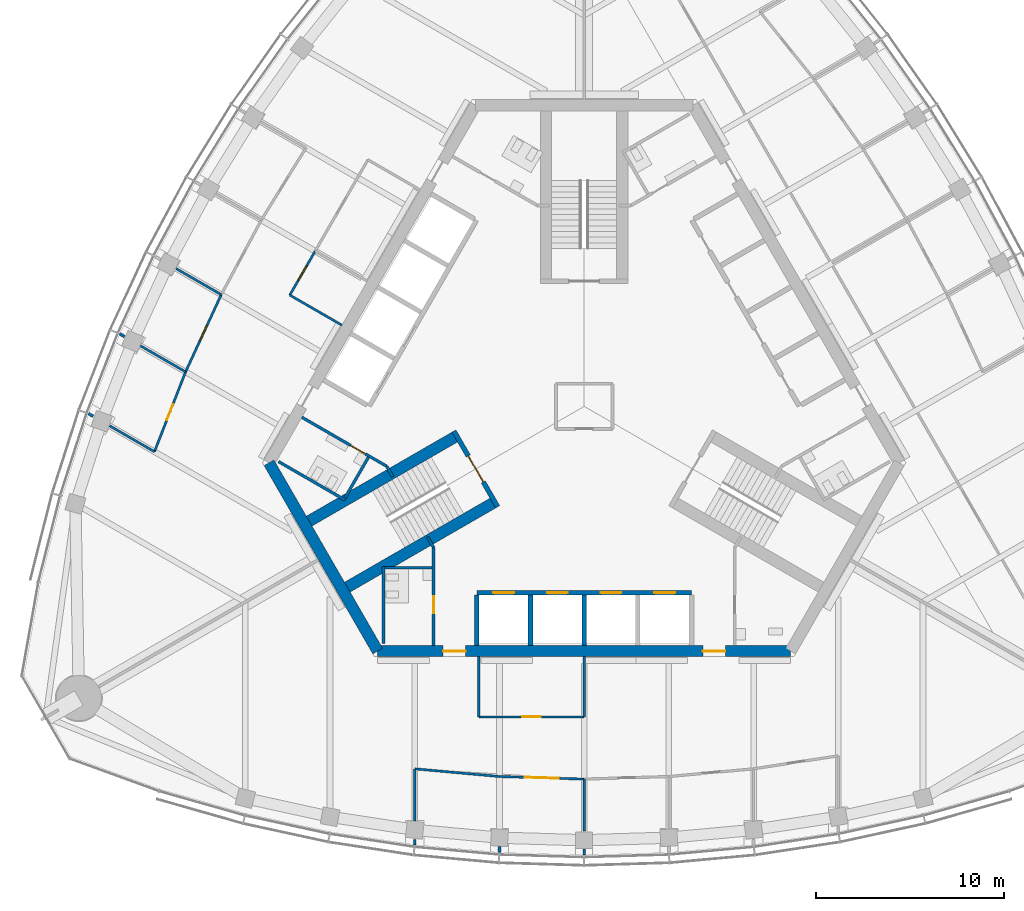
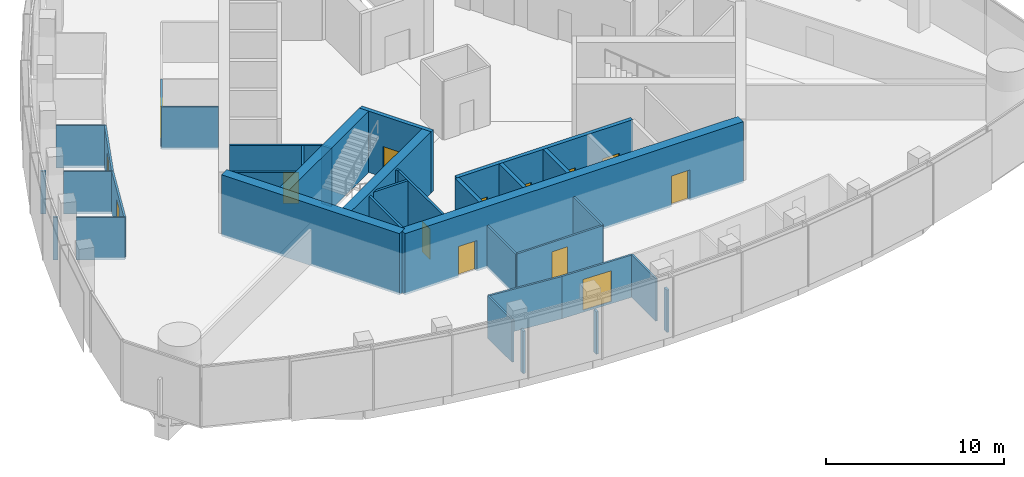
# One storey, part 8 of 16: 36 walls, 14 doors, 14 openings.
"""IFC4 building model written with IfcOpenShell, lengths in metres."""

from ifc_helpers import new_model, si_unit, direction, frame, frame_2d, origin, place, context, subcontext, project, spatial, rectangle, extrude, material, layer, layer_set, type_object, element, fill, save


model = new_model("IFC4")

# Units and contexts
model_context = context("Model", 3, precision=1e-05, world=origin(), true_north=direction((0.0, 1.0)))
body_context = subcontext(model_context, "Body", "Model", "MODEL_VIEW")
ifc_project = project(units=[si_unit("LENGTHUNIT", "METRE"), si_unit("AREAUNIT", "SQUARE_METRE"), si_unit("VOLUMEUNIT", "CUBIC_METRE"), si_unit("PLANEANGLEUNIT", "RADIAN"), si_unit("MASSUNIT", "GRAM", prefix="KILO")], contexts=[model_context])

# Site, building, storey
site_placement = place(None, origin())
site = spatial("IfcSite", under=ifc_project, at=site_placement, CompositionType="ELEMENT")
building_placement = place(site_placement, origin())
building = spatial("IfcBuilding", under=site, at=building_placement, Name="Trefoil Bronze Tower", CompositionType="ELEMENT")
storey_placement = place(building_placement, frame((0.0, 0.0, 301.5)))
storey = spatial("IfcBuildingStorey", under=building, at=storey_placement, Name="L69", CompositionType="ELEMENT", Elevation=301.5)

# Wall, openings, doors
ifc_material_1 = material(Name="Concrete B80", Category="concrete")
ifc_layer_1 = layer(ifc_material_1, 0.60009765625)
ifc_layer_set_1 = layer_set([ifc_layer_1], Name="Core wall 600")
wall_type_1 = type_object("IfcWallType", Name="Core wall 600", PredefinedType="SHEAR", material=ifc_layer_set_1)
wall_1_placement = place(storey_placement, frame((-10.9697265625, -13.0, 0.0), z_axis=(0.0, 0.0, 1.0), x_axis=(1.0, 0.0, 0.0)))
wall_1 = element("IfcWall", 1, at=wall_1_placement, inside=storey, type_object=wall_type_1, Name="Core long wall 1 L69", PredefinedType="SHEAR", context=body_context, shape_type="SweptSolid", body=[
    extrude(rectangle(XDim=21.939453125, YDim=0.60009765625, at=frame_2d((10.9697265625, 0.0))), origin(), (0.0, 0.0, 1.0), 4.199951171875),
])
opening_1_placement = place(wall_1_placement, frame((17.269775390625, 0.0, 0.0)))
opening_1 = element("IfcOpeningElement", 2, at=opening_1_placement, cuts=wall_1, Name="Opening D2", PredefinedType="OPENING", context=body_context, shape_type="SweptSolid", body=[
    extrude(rectangle(XDim=1.199951171875, YDim=2.10009765625, at=frame_2d((0.60009765625, 1.050048828125))), frame((0.0, 0.31005859375, 0.0), z_axis=(0.0, -1.0, 0.0), x_axis=(1.0, 0.0, 0.0)), (0.0, 0.0, 1.0), 0.6201171875),
])
opening_2_placement = place(wall_1_placement, frame((3.4697265625, 0.0, 0.0)))
opening_2 = element("IfcOpeningElement", 3, at=opening_2_placement, cuts=wall_1, Name="Opening D2", PredefinedType="OPENING", context=body_context, shape_type="SweptSolid", body=[
    extrude(rectangle(XDim=1.199951171875, YDim=2.10009765625, at=frame_2d((0.60009765625, 1.050048828125))), frame((0.0, 0.31005859375, 0.0), z_axis=(0.0, -1.0, 0.0), x_axis=(1.0, 0.0, 0.0)), (0.0, 0.0, 1.0), 0.6201171875),
])
ifc_material_2 = material(Name="Steel door", Category="steel")
door_type_1 = type_object("IfcDoorType", Name="Lobby door 1200", OperationType="SINGLE_SWING_RIGHT", PredefinedType="DOOR", material=ifc_material_2)
door_1_placement = place(opening_1_placement, origin())
door_1 = element("IfcDoor", 4, at=door_1_placement, inside=storey, type_object=door_type_1, Name="Lobby door F1+ L69", OperationType="SINGLE_SWING_RIGHT", OverallHeight=2.10009765625, OverallWidth=1.199951171875, PredefinedType="DOOR", context=body_context, shape_type="SweptSolid", body=[
    extrude(rectangle(XDim=1.199951171875, YDim=2.10009765625, at=frame_2d((0.60009765625, 1.050048828125))), frame((0.0, 0.02490234375, 0.0), z_axis=(0.0, -1.0, 0.0), x_axis=(1.0, 0.0, 0.0)), (0.0, 0.0, 1.0), 0.050048828125),
])
fill(opening_1, door_1)
door_2_placement = place(opening_2_placement, origin())
door_2 = element("IfcDoor", 5, at=door_2_placement, inside=storey, type_object=door_type_1, Name="Lobby door F1- L69", OperationType="SINGLE_SWING_LEFT", OverallHeight=2.10009765625, OverallWidth=1.199951171875, PredefinedType="DOOR", context=body_context, shape_type="SweptSolid", body=[
    extrude(rectangle(XDim=1.199951171875, YDim=2.10009765625, at=frame_2d((0.60009765625, 1.050048828125))), frame((0.0, 0.02490234375, 0.0), z_axis=(0.0, -1.0, 0.0), x_axis=(1.0, 0.0, 0.0)), (0.0, 0.0, 1.0), 0.050048828125),
])
fill(opening_2, door_2)

# Wall
wall_2_placement = place(storey_placement, frame((-16.7431640625, -3.0, 0.0), z_axis=(0.0, 0.0, 1.0), x_axis=(0.499995765644, -0.866027848477, 0.0)))
element("IfcWall", 6, at=wall_2_placement, inside=storey, type_object=wall_type_1, Name="Core short wall 3 L69", PredefinedType="SHEAR", context=body_context, shape_type="SweptSolid", body=[
    extrude(rectangle(XDim=11.546875, YDim=0.60009765625, at=frame_2d((5.7734375, 0.0))), origin(), (0.0, 0.0, 1.0), 4.199951171875),
])

# Wall, opening, door
ifc_material_3 = material(Name="Glazed partition", Category="glass")
ifc_layer_2 = layer(ifc_material_3, 0.1201171875)
ifc_layer_set_2 = layer_set([ifc_layer_2], Name="Glazed partition 120")
wall_type_2 = type_object("IfcWallType", Name="Glazed partition 120", PredefinedType="PARTITIONING", material=ifc_layer_set_2)
wall_3_placement = place(storey_placement, frame((-5.60009765625, -16.5, 0.0), z_axis=(0.0, 0.0, 1.0), x_axis=(1.0, 0.0, 0.0)))
wall_3 = element("IfcWall", 7, at=wall_3_placement, inside=storey, type_object=wall_type_2, Name="Partition F1 L69", PredefinedType="PARTITIONING", context=body_context, shape_type="SweptSolid", body=[
    extrude(rectangle(XDim=5.60009765625, YDim=0.1201171875, at=frame_2d((2.800048828125, 0.0))), origin(), (0.0, 0.0, 1.0), 2.89990234375),
])
opening_3_placement = place(wall_3_placement, frame((2.300048828125, 0.0, 0.14990234375)))
opening_3 = element("IfcOpeningElement", 8, at=opening_3_placement, cuts=wall_3, Name="Opening D9", PredefinedType="OPENING", context=body_context, shape_type="SweptSolid", body=[
    extrude(rectangle(XDim=1.0, YDim=2.10009765625, at=frame_2d((0.5, 1.050048828125))), frame((0.0, 0.070068359375, 0.0), z_axis=(0.0, -1.0, 0.0), x_axis=(1.0, 0.0, 0.0)), (0.0, 0.0, 1.0), 0.14013671875),
])
ifc_material_4 = material(Name="Glazed timber door", Category="wood")
door_type_2 = type_object("IfcDoorType", Name="Meeting room door 1000", OperationType="SINGLE_SWING_LEFT", PredefinedType="DOOR", material=ifc_material_4)
door_3_placement = place(opening_3_placement, origin())
door_3 = element("IfcDoor", 9, at=door_3_placement, inside=storey, type_object=door_type_2, Name="Meeting room door F1 L69", OperationType="SINGLE_SWING_LEFT", OverallHeight=2.10009765625, OverallWidth=1.0, PredefinedType="DOOR", context=body_context, shape_type="SweptSolid", body=[
    extrude(rectangle(XDim=1.0, YDim=2.10009765625, at=frame_2d((0.5, 1.050048828125))), frame((0.0, 0.02490234375, 0.0), z_axis=(0.0, -1.0, 0.0), x_axis=(1.0, 0.0, 0.0)), (0.0, 0.0, 1.0), 0.050048828125),
])
fill(opening_3, door_3)

# Walls
for number, where, z_axis, x_axis, name in (
    (10, (0.0, -13.300048828125, 0.0), (0.0, 0.0, 1.0), (0.0, -1.0, 0.0), "Partition F1 L69"),
    (11, (-5.60009765625, -13.300048828125, 0.0), (0.0, 0.0, 1.0), (0.0, -1.0, 0.0), "Partition F1 L69"),
):
    element("IfcWall", number, at=place(storey_placement, frame(where, z_axis=z_axis, x_axis=x_axis)), inside=storey, type_object=wall_type_2, Name=name, PredefinedType="PARTITIONING", context=body_context, shape_type="SweptSolid", body=[
        extrude(rectangle(XDim=3.199951171875, YDim=0.1201171875, at=frame_2d((1.60009765625, 0.0))), origin(), (0.0, 0.0, 1.0), 2.89990234375),
    ])

# Wall, opening, door
wall_4_placement = place(storey_placement, frame((-4.5, -19.665283203125, 0.0), z_axis=(0.0, 0.0, 1.0), x_axis=(0.999542074227, -0.030259574513, 0.0)))
wall_4 = element("IfcWall", 12, at=wall_4_placement, inside=storey, type_object=wall_type_2, Name="Partition F1 L69", PredefinedType="PARTITIONING", context=body_context, shape_type="SweptSolid", body=[
    extrude(rectangle(XDim=4.501953125, YDim=0.1201171875, at=frame_2d((2.2509765625, 0.0))), origin(), (0.0, 0.0, 1.0), 2.89990234375),
])
opening_4_placement = place(wall_4_placement, frame((1.35009765625, 0.0, 0.14990234375)))
opening_4 = element("IfcOpeningElement", 13, at=opening_4_placement, cuts=wall_4, Name="Opening D10", PredefinedType="OPENING", context=body_context, shape_type="SweptSolid", body=[
    extrude(rectangle(XDim=1.800048828125, YDim=2.10009765625, at=frame_2d((0.89990234375, 1.050048828125))), frame((0.0, 0.070068359375, 0.0), z_axis=(0.0, -1.0, 0.0), x_axis=(1.0, 0.0, 0.0)), (0.0, 0.0, 1.0), 0.14013671875),
])
ifc_material_5 = material(Name="Timber door", Category="wood")
door_type_3 = type_object("IfcDoorType", Name="Double door 1800", OperationType="DOUBLE_DOOR_SINGLE_SWING", PredefinedType="DOOR", material=ifc_material_5)
door_4_placement = place(opening_4_placement, frame((1.800048828125, 0.0, 0.0), z_axis=(0.0, 0.0, 1.0), x_axis=(-1.0, 0.0, 0.0)))
door_4 = element("IfcDoor", 14, at=door_4_placement, inside=storey, type_object=door_type_3, Name="Kitchen and breakout door F1 L69", OperationType="DOUBLE_DOOR_SINGLE_SWING", OverallHeight=2.10009765625, OverallWidth=1.800048828125, PredefinedType="DOOR", context=body_context, shape_type="SweptSolid", body=[
    extrude(rectangle(XDim=1.800048828125, YDim=2.10009765625, at=frame_2d((0.89990234375, 1.050048828125))), frame((0.0, 0.02490234375, 0.0), z_axis=(0.0, -1.0, 0.0), x_axis=(1.0, 0.0, 0.0)), (0.0, 0.0, 1.0), 0.050048828125),
])
fill(opening_4, door_4)

# Walls
wall_5_placement = place(storey_placement, frame((-9.0, -19.255126953125, 0.0), z_axis=(0.0, 0.0, 1.0), x_axis=(0.995871921504, -0.090769576179, 0.0)))
element("IfcWall", 15, at=wall_5_placement, inside=storey, type_object=wall_type_2, Name="Partition F1 L69", PredefinedType="PARTITIONING", context=body_context, shape_type="SweptSolid", body=[
    extrude(rectangle(XDim=4.5185546875, YDim=0.1201171875, at=frame_2d((2.25927734375, 0.0))), origin(), (0.0, 0.0, 1.0), 2.89990234375),
])
wall_6_placement = place(storey_placement, frame((0.0, -19.801513671875, 0.0), z_axis=(0.0, 0.0, 1.0), x_axis=(0.0, -1.0, 0.0)))
element("IfcWall", 16, at=wall_6_placement, inside=storey, type_object=wall_type_2, Name="Partition F1 L69", PredefinedType="PARTITIONING", context=body_context, shape_type="SweptSolid", body=[
    extrude(rectangle(XDim=2.77001953125, YDim=0.1201171875, at=frame_2d((1.385009765625, 0.0))), origin(), (0.0, 0.0, 1.0), 2.89990234375),
])
wall_7_placement = place(storey_placement, frame((-9.0, -19.255126953125, 0.0), z_axis=(0.0, 0.0, 1.0), x_axis=(0.0, -1.0, 0.0)))
element("IfcWall", 17, at=wall_7_placement, inside=storey, type_object=wall_type_2, Name="Partition F1 L69", PredefinedType="PARTITIONING", context=body_context, shape_type="SweptSolid", body=[
    extrude(rectangle(XDim=2.760498046875, YDim=0.1201171875, at=frame_2d((1.38037109375, 0.0))), origin(), (0.0, 0.0, 1.0), 2.89990234375),
])

# Wall, opening, door
wall_8_placement = place(storey_placement, frame((-14.289306640625, 8.25, 0.0), z_axis=(0.0, 0.0, 1.0), x_axis=(-0.50000943426, -0.866019956843, 0.0)))
wall_8 = element("IfcWall", 18, at=wall_8_placement, inside=storey, type_object=wall_type_2, Name="Partition F3 L69", PredefinedType="PARTITIONING", context=body_context, shape_type="SweptSolid", body=[
    extrude(rectangle(XDim=2.7001953125, YDim=0.1201171875, at=frame_2d((1.35009765625, 0.0))), origin(), (0.0, 0.0, 1.0), 2.89990234375),
])
opening_5_placement = place(wall_8_placement, frame((0.89990234375, 0.0, 0.14990234375)))
opening_5 = element("IfcOpeningElement", 19, at=opening_5_placement, cuts=wall_8, Name="Opening D8", PredefinedType="OPENING", context=body_context, shape_type="SweptSolid", body=[
    extrude(rectangle(XDim=0.89990234375, YDim=2.10009765625, at=frame_2d((0.449951171875, 1.050048828125))), frame((0.0, 0.070068359375, 0.0), z_axis=(0.0, -1.0, 0.0), x_axis=(1.0, 0.0, 0.0)), (0.0, 0.0, 1.0), 0.14013671875),
])
ifc_material_6 = material(Name="Timber door", Category="wood")
door_type_4 = type_object("IfcDoorType", Name="Office door 900", OperationType="SINGLE_SWING_LEFT", PredefinedType="DOOR", material=ifc_material_6)
door_5_placement = place(opening_5_placement, origin())
door_5 = element("IfcDoor", 20, at=door_5_placement, inside=storey, type_object=door_type_4, Name="Pantry door F3 L69", OperationType="SINGLE_SWING_RIGHT", OverallHeight=2.10009765625, OverallWidth=0.89990234375, PredefinedType="DOOR", context=body_context, shape_type="SweptSolid", body=[
    extrude(rectangle(XDim=0.89990234375, YDim=2.10009765625, at=frame_2d((0.449951171875, 1.050048828125))), frame((0.0, 0.02490234375, 0.0), z_axis=(0.0, -1.0, 0.0), x_axis=(1.0, 0.0, 0.0)), (0.0, 0.0, 1.0), 0.050048828125),
])
fill(opening_5, door_5)

# Wall
wall_9_placement = place(storey_placement, frame((-12.8681640625, 4.311767578125, 0.0), z_axis=(0.0, 0.0, 1.0), x_axis=(-0.866042017984, 0.499971222258, 0.0)))
element("IfcWall", 21, at=wall_9_placement, inside=storey, type_object=wall_type_2, Name="Partition F3 L69", PredefinedType="PARTITIONING", context=body_context, shape_type="SweptSolid", body=[
    extrude(rectangle(XDim=3.199951171875, YDim=0.1201171875, at=frame_2d((1.60009765625, 0.0))), origin(), (0.0, 0.0, 1.0), 2.89990234375),
])

# Wall, opening, door
wall_10_placement = place(storey_placement, frame((-19.28076171875, 5.935546875, 0.0), z_axis=(0.0, 0.0, 1.0), x_axis=(-0.419270595022, -0.907861315483, 0.0)))
wall_10 = element("IfcWall", 22, at=wall_10_placement, inside=storey, type_object=wall_type_2, Name="Partition F3 L69", PredefinedType="PARTITIONING", context=body_context, shape_type="SweptSolid", body=[
    extrude(rectangle(XDim=4.5185546875, YDim=0.1201171875, at=frame_2d((2.25927734375, 0.0))), origin(), (0.0, 0.0, 1.0), 2.89990234375),
])
opening_6_placement = place(wall_10_placement, frame((1.800048828125, 0.0, 0.14990234375)))
opening_6 = element("IfcOpeningElement", 23, at=opening_6_placement, cuts=wall_10, Name="Opening D8", PredefinedType="OPENING", context=body_context, shape_type="SweptSolid", body=[
    extrude(rectangle(XDim=0.89990234375, YDim=2.10009765625, at=frame_2d((0.449951171875, 1.050048828125))), frame((0.0, 0.070068359375, 0.0), z_axis=(0.0, -1.0, 0.0), x_axis=(1.0, 0.0, 0.0)), (0.0, 0.0, 1.0), 0.14013671875),
])
door_6_placement = place(opening_6_placement, frame((0.89990234375, 0.0, 0.0), z_axis=(0.0, 0.0, 1.0), x_axis=(-1.0, 0.0, 0.0)))
door_6 = element("IfcDoor", 24, at=door_6_placement, inside=storey, type_object=door_type_4, Name="Office door F3 L69", OperationType="SINGLE_SWING_RIGHT", OverallHeight=2.10009765625, OverallWidth=0.89990234375, PredefinedType="DOOR", context=body_context, shape_type="SweptSolid", body=[
    extrude(rectangle(XDim=0.89990234375, YDim=2.10009765625, at=frame_2d((0.449951171875, 1.050048828125))), frame((0.0, 0.02490234375, 0.0), z_axis=(0.0, -1.0, 0.0), x_axis=(1.0, 0.0, 0.0)), (0.0, 0.0, 1.0), 0.050048828125),
])
fill(opening_6, door_6)

wall_11_placement = place(storey_placement, frame((-21.17529296875, 1.833251953125, 0.0), z_axis=(0.0, 0.0, 1.0), x_axis=(-0.363230297573, -0.931699388711, 0.0)))
wall_11 = element("IfcWall", 25, at=wall_11_placement, inside=storey, type_object=wall_type_2, Name="Partition F3 L69", PredefinedType="PARTITIONING", context=body_context, shape_type="SweptSolid", body=[
    extrude(rectangle(XDim=4.552490234375, YDim=0.1201171875, at=frame_2d((2.2763671875, 0.0))), origin(), (0.0, 0.0, 1.0), 2.89990234375),
])
opening_7_placement = place(wall_11_placement, frame((1.85009765625, 0.0, 0.14990234375)))
opening_7 = element("IfcOpeningElement", 26, at=opening_7_placement, cuts=wall_11, Name="Opening D8", PredefinedType="OPENING", context=body_context, shape_type="SweptSolid", body=[
    extrude(rectangle(XDim=0.89990234375, YDim=2.10009765625, at=frame_2d((0.449951171875, 1.050048828125))), frame((0.0, 0.070068359375, 0.0), z_axis=(0.0, -1.0, 0.0), x_axis=(1.0, 0.0, 0.0)), (0.0, 0.0, 1.0), 0.14013671875),
])
door_7_placement = place(opening_7_placement, frame((0.89990234375, 0.0, 0.0), z_axis=(0.0, 0.0, 1.0), x_axis=(-1.0, 0.0, 0.0)))
door_7 = element("IfcDoor", 27, at=door_7_placement, inside=storey, type_object=door_type_4, Name="Office door F3 L69", OperationType="SINGLE_SWING_LEFT", OverallHeight=2.10009765625, OverallWidth=0.89990234375, PredefinedType="DOOR", context=body_context, shape_type="SweptSolid", body=[
    extrude(rectangle(XDim=0.89990234375, YDim=2.10009765625, at=frame_2d((0.449951171875, 1.050048828125))), frame((0.0, 0.02490234375, 0.0), z_axis=(0.0, -1.0, 0.0), x_axis=(1.0, 0.0, 0.0)), (0.0, 0.0, 1.0), 0.050048828125),
])
fill(opening_7, door_7)

# Walls
wall_12_placement = place(storey_placement, frame((-22.828857421875, -2.408203125, 0.0), z_axis=(0.0, 0.0, 1.0), x_axis=(-0.866031754707, 0.499988999718, 0.0)))
element("IfcWall", 28, at=wall_12_placement, inside=storey, type_object=wall_type_2, Name="Partition F3 L69", PredefinedType="PARTITIONING", context=body_context, shape_type="SweptSolid", body=[
    extrude(rectangle(XDim=2.74853515625, YDim=0.1201171875, at=frame_2d((1.374267578125, 0.0))), origin(), (0.0, 0.0, 1.0), 2.89990234375),
])
wall_13_placement = place(storey_placement, frame((-19.28076171875, 5.935546875, 0.0), z_axis=(0.0, 0.0, 1.0), x_axis=(-0.866019581949, 0.500010083578, 0.0)))
element("IfcWall", 29, at=wall_13_placement, inside=storey, type_object=wall_type_2, Name="Partition F3 L69", PredefinedType="PARTITIONING", context=body_context, shape_type="SweptSolid", body=[
    extrude(rectangle(XDim=2.767578125, YDim=0.1201171875, at=frame_2d((1.3837890625, 0.0))), origin(), (0.0, 0.0, 1.0), 2.89990234375),
])
wall_14_placement = place(storey_placement, frame((-21.17529296875, 1.833251953125, 0.0), z_axis=(0.0, 0.0, 1.0), x_axis=(-0.86602506628, 0.500000584575, 0.0)))
element("IfcWall", 30, at=wall_14_placement, inside=storey, type_object=wall_type_2, Name="Partition F3 L69", PredefinedType="PARTITIONING", context=body_context, shape_type="SweptSolid", body=[
    extrude(rectangle(XDim=2.7607421875, YDim=0.1201171875, at=frame_2d((1.38037109375, 0.0))), origin(), (0.0, 0.0, 1.0), 2.89990234375),
])

# Wall, opening, door
ifc_material_7 = material(Name="Gypsum board on steel studs", Category="steel")
ifc_layer_3 = layer(ifc_material_7, 0.14990234375)
ifc_layer_set_3 = layer_set([ifc_layer_3], Name="Partition 150")
wall_type_3 = type_object("IfcWallType", Name="Partition 150", PredefinedType="PARTITIONING", material=ifc_layer_set_3)
wall_15_placement = place(storey_placement, frame((-8.0, -7.5, 0.0), z_axis=(0.0, 0.0, 1.0), x_axis=(0.0, -1.0, 0.0)))
wall_15 = element("IfcWall", 31, at=wall_15_placement, inside=storey, type_object=wall_type_3, Name="Passage wall F1- L69", PredefinedType="PARTITIONING", context=body_context, shape_type="SweptSolid", body=[
    extrude(rectangle(XDim=5.199951171875, YDim=0.14990234375, at=frame_2d((2.60009765625, 0.0))), origin(), (0.0, 0.0, 1.0), 4.0),
])
opening_8_placement = place(wall_15_placement, frame((2.60009765625, 0.0, 0.0)))
opening_8 = element("IfcOpeningElement", 32, at=opening_8_placement, cuts=wall_15, Name="Opening D3", PredefinedType="OPENING", context=body_context, shape_type="SweptSolid", body=[
    extrude(rectangle(XDim=0.89990234375, YDim=2.10009765625, at=frame_2d((0.449951171875, 1.050048828125))), frame((0.0, 0.0849609375, 0.0), z_axis=(0.0, -1.0, 0.0), x_axis=(1.0, 0.0, 0.0)), (0.0, 0.0, 1.0), 0.169921875),
])
ifc_material_8 = material(Name="Timber door", Category="wood")
door_type_5 = type_object("IfcDoorType", Name="WC door 900", OperationType="SINGLE_SWING_LEFT", PredefinedType="DOOR", material=ifc_material_8)
door_8_placement = place(opening_8_placement, frame((0.89990234375, 0.0, 0.0), z_axis=(0.0, 0.0, 1.0), x_axis=(-1.0, 0.0, 0.0)))
door_8 = element("IfcDoor", 33, at=door_8_placement, inside=storey, type_object=door_type_5, Name="WC (women) door L69", OperationType="SINGLE_SWING_RIGHT", OverallHeight=2.10009765625, OverallWidth=0.89990234375, PredefinedType="DOOR", context=body_context, shape_type="SweptSolid", body=[
    extrude(rectangle(XDim=0.89990234375, YDim=2.10009765625, at=frame_2d((0.449951171875, 1.050048828125))), frame((0.0, 0.02490234375, 0.0), z_axis=(0.0, -1.0, 0.0), x_axis=(1.0, 0.0, 0.0)), (0.0, 0.0, 1.0), 0.050048828125),
])
fill(opening_8, door_8)

wall_16_placement = place(storey_placement, frame((-10.4951171875, -3.17822265625, 0.0), z_axis=(0.0, 0.0, 1.0), x_axis=(-0.866021400173, 0.500006934395, 0.0)))
wall_16 = element("IfcWall", 34, at=wall_16_placement, inside=storey, type_object=wall_type_3, Name="Passage wall F3+ L69", PredefinedType="PARTITIONING", context=body_context, shape_type="SweptSolid", body=[
    extrude(rectangle(XDim=5.2001953125, YDim=0.14990234375, at=frame_2d((2.60009765625, 0.0))), origin(), (0.0, 0.0, 1.0), 4.0),
])
opening_9_placement = place(wall_16_placement, frame((1.300048828125, 0.0, 0.0)))
opening_9 = element("IfcOpeningElement", 35, at=opening_9_placement, cuts=wall_16, Name="Opening D3", PredefinedType="OPENING", context=body_context, shape_type="SweptSolid", body=[
    extrude(rectangle(XDim=0.89990234375, YDim=2.10009765625, at=frame_2d((0.449951171875, 1.050048828125))), frame((0.0, 0.0849609375, 0.0), z_axis=(0.0, -1.0, 0.0), x_axis=(1.0, 0.0, 0.0)), (0.0, 0.0, 1.0), 0.169921875),
])
door_9_placement = place(opening_9_placement, origin())
door_9 = element("IfcDoor", 36, at=door_9_placement, inside=storey, type_object=door_type_5, Name="WC (men) door L69", OperationType="SINGLE_SWING_LEFT", OverallHeight=2.10009765625, OverallWidth=0.89990234375, PredefinedType="DOOR", context=body_context, shape_type="SweptSolid", body=[
    extrude(rectangle(XDim=0.89990234375, YDim=2.10009765625, at=frame_2d((0.449951171875, 1.050048828125))), frame((0.0, 0.02490234375, 0.0), z_axis=(0.0, -1.0, 0.0), x_axis=(1.0, 0.0, 0.0)), (0.0, 0.0, 1.0), 0.050048828125),
])
fill(opening_9, door_9)

# Walls
for number, where, z_axis, x_axis, name in (
    (37, (-10.4951171875, -3.17822265625, 0.0), (0.0, 0.0, 1.0), (0.499842556608, -0.866116284689, 0.0), "WC wall ST3-1 L69"),
    (38, (-8.0, -7.5, 0.0), (0.0, 0.0, 1.0), (-0.499842556608, 0.866116284689, 0.0), "WC wall ST3+1 L69"),
):
    element("IfcWall", number, at=place(storey_placement, frame(where, z_axis=z_axis, x_axis=x_axis)), inside=storey, type_object=wall_type_3, Name=name, PredefinedType="PARTITIONING", context=body_context, shape_type="SweptSolid", body=[
        extrude(rectangle(XDim=0.645263671875, YDim=0.14990234375, at=frame_2d((0.32275390625, 0.0))), origin(), (0.0, 0.0, 1.0), 4.0),
    ])
wall_17_placement = place(storey_placement, frame((-12.691162109375, -4.98193359375, 0.0), z_axis=(0.0, 0.0, 1.0), x_axis=(-0.8660249478, 0.500000789788, 0.0)))
element("IfcWall", 39, at=wall_17_placement, inside=storey, type_object=wall_type_3, Name="WC partition WC (men) L69", PredefinedType="PARTITIONING", context=body_context, shape_type="SweptSolid", body=[
    extrude(rectangle(XDim=4.10009765625, YDim=0.14990234375, at=frame_2d((2.050048828125, 0.0))), origin(), (0.0, 0.0, 1.0), 4.0),
])
wall_18_placement = place(storey_placement, frame((-11.463623046875, -2.70556640625, 0.0), z_axis=(0.0, 0.0, 1.0), x_axis=(-0.50001992892, -0.866013897511, 0.0)))
element("IfcWall", 40, at=wall_18_placement, inside=storey, type_object=wall_type_3, Name="WC partition WC (men) L69", PredefinedType="PARTITIONING", context=body_context, shape_type="SweptSolid", body=[
    extrude(rectangle(XDim=2.51025390625, YDim=0.14990234375, at=frame_2d((1.255126953125, 0.0))), origin(), (0.0, 0.0, 1.0), 4.0),
])
wall_19_placement = place(storey_placement, frame((-10.659912109375, -8.5, 0.0), z_axis=(0.0, 0.0, 1.0), x_axis=(0.0, -1.0, 0.0)))
element("IfcWall", 41, at=wall_19_placement, inside=storey, type_object=wall_type_3, Name="WC partition WC (women) L69", PredefinedType="PARTITIONING", context=body_context, shape_type="SweptSolid", body=[
    extrude(rectangle(XDim=4.10009765625, YDim=0.14990234375, at=frame_2d((2.050048828125, 0.0))), origin(), (0.0, 0.0, 1.0), 4.0),
])
wall_20_placement = place(storey_placement, frame((-8.074951171875, -8.574951171875, 0.0), z_axis=(0.0, 0.0, 1.0), x_axis=(-1.0, 0.0, 0.0)))
element("IfcWall", 42, at=wall_20_placement, inside=storey, type_object=wall_type_3, Name="WC partition WC (women) L69", PredefinedType="PARTITIONING", context=body_context, shape_type="SweptSolid", body=[
    extrude(rectangle(XDim=2.510009765625, YDim=0.14990234375, at=frame_2d((1.2548828125, 0.0))), origin(), (0.0, 0.0, 1.0), 4.0),
])
wall_21_placement = place(storey_placement, frame((0.0, -23.505615234375, 0.0), z_axis=(0.0, 0.0, 1.0), x_axis=(0.0, -1.0, 0.0)))
element("IfcWall", 43, at=wall_21_placement, inside=storey, type_object=wall_type_3, Name="Partition F1 L69", PredefinedType="PARTITIONING", context=body_context, shape_type="SweptSolid", body=[
    extrude(rectangle(XDim=0.341064453125, YDim=0.14990234375, at=frame_2d((0.17041015625, 0.0))), origin(), (0.0, 0.0, 1.0), 2.89990234375),
])
wall_22_placement = place(storey_placement, frame((-4.5, -23.394287109375, 0.0), z_axis=(0.0, 0.0, 1.0), x_axis=(0.0, -1.0, 0.0)))
element("IfcWall", 44, at=wall_22_placement, inside=storey, type_object=wall_type_3, Name="Partition F1 L69", PredefinedType="PARTITIONING", context=body_context, shape_type="SweptSolid", body=[
    extrude(rectangle(XDim=0.316162109375, YDim=0.14990234375, at=frame_2d((0.158203125, 0.0))), origin(), (0.0, 0.0, 1.0), 2.89990234375),
])
wall_23_placement = place(storey_placement, frame((-9.0, -23.00439453125, 0.0), z_axis=(0.0, 0.0, 1.0), x_axis=(0.0, -1.0, 0.0)))
element("IfcWall", 45, at=wall_23_placement, inside=storey, type_object=wall_type_3, Name="Partition F1 L69", PredefinedType="PARTITIONING", context=body_context, shape_type="SweptSolid", body=[
    extrude(rectangle(XDim=0.295654296875, YDim=0.14990234375, at=frame_2d((0.14794921875, 0.0))), origin(), (0.0, 0.0, 1.0), 2.89990234375),
])
wall_24_placement = place(storey_placement, frame((-26.08935546875, -0.52587890625, 0.0), z_axis=(0.0, 0.0, 1.0), x_axis=(-0.865982457891, 0.500074377092, 0.0)))
element("IfcWall", 46, at=wall_24_placement, inside=storey, type_object=wall_type_3, Name="Partition F3 L69", PredefinedType="PARTITIONING", context=body_context, shape_type="SweptSolid", body=[
    extrude(rectangle(XDim=0.2802734375, YDim=0.14990234375, at=frame_2d((0.14013671875, 0.0))), origin(), (0.0, 0.0, 1.0), 2.89990234375),
])
wall_25_placement = place(storey_placement, frame((-24.42236328125, 3.7080078125, 0.0), z_axis=(0.0, 0.0, 1.0), x_axis=(-0.866254317358, 0.499603300288, 0.0)))
element("IfcWall", 47, at=wall_25_placement, inside=storey, type_object=wall_type_3, Name="Partition F3 L69", PredefinedType="PARTITIONING", context=body_context, shape_type="SweptSolid", body=[
    extrude(rectangle(XDim=0.295654296875, YDim=0.14990234375, at=frame_2d((0.14794921875, 0.0))), origin(), (0.0, 0.0, 1.0), 2.89990234375),
])

# Wall, openings, doors
ifc_material_9 = material(Name="Concrete B80", Category="concrete")
ifc_layer_4 = layer(ifc_material_9, 0.25)
ifc_layer_set_4 = layer_set([ifc_layer_4], Name="Shaft wall 250")
wall_type_4 = type_object("IfcWallType", Name="Shaft wall 250", PredefinedType="SHEAR", material=ifc_layer_set_4)
wall_26_placement = place(storey_placement, frame((-5.699951171875, -9.89990234375, 0.0), z_axis=(0.0, 0.0, 1.0), x_axis=(1.0, 0.0, 0.0)))
wall_26 = element("IfcWall", 48, at=wall_26_placement, inside=storey, type_object=wall_type_4, Name="Lift shaft front wall A L69", PredefinedType="SHEAR", context=body_context, shape_type="SweptSolid", body=[
    extrude(rectangle(XDim=11.39990234375, YDim=0.25, at=frame_2d((5.699951171875, 0.0))), origin(), (0.0, 0.0, 1.0), 4.199951171875),
])
opening_10_placement = place(wall_26_placement, frame((0.875, 0.0, 0.0)))
opening_10 = element("IfcOpeningElement", 49, at=opening_10_placement, cuts=wall_26, Name="Opening LD-P41", PredefinedType="OPENING", context=body_context, shape_type="SweptSolid", body=[
    extrude(rectangle(XDim=1.10009765625, YDim=2.199951171875, at=frame_2d((0.550048828125, 1.10009765625))), frame((0.0, 0.135009765625, 0.0), z_axis=(0.0, -1.0, 0.0), x_axis=(1.0, 0.0, 0.0)), (0.0, 0.0, 1.0), 0.27001953125),
])
opening_11_placement = place(wall_26_placement, frame((3.72509765625, 0.0, 0.0)))
opening_11 = element("IfcOpeningElement", 50, at=opening_11_placement, cuts=wall_26, Name="Opening LD-P42", PredefinedType="OPENING", context=body_context, shape_type="SweptSolid", body=[
    extrude(rectangle(XDim=1.10009765625, YDim=2.199951171875, at=frame_2d((0.550048828125, 1.10009765625))), frame((0.0, 0.135009765625, 0.0), z_axis=(0.0, -1.0, 0.0), x_axis=(1.0, 0.0, 0.0)), (0.0, 0.0, 1.0), 0.27001953125),
])
opening_12_placement = place(wall_26_placement, frame((6.574951171875, 0.0, 0.0)))
opening_12 = element("IfcOpeningElement", 51, at=opening_12_placement, cuts=wall_26, Name="Opening LD-P43", PredefinedType="OPENING", context=body_context, shape_type="SweptSolid", body=[
    extrude(rectangle(XDim=1.10009765625, YDim=2.199951171875, at=frame_2d((0.550048828125, 1.10009765625))), frame((0.0, 0.135009765625, 0.0), z_axis=(0.0, -1.0, 0.0), x_axis=(1.0, 0.0, 0.0)), (0.0, 0.0, 1.0), 0.27001953125),
])
opening_13_placement = place(wall_26_placement, frame((9.425048828125, 0.0, 0.0)))
opening_13 = element("IfcOpeningElement", 52, at=opening_13_placement, cuts=wall_26, Name="Opening LD-P44", PredefinedType="OPENING", context=body_context, shape_type="SweptSolid", body=[
    extrude(rectangle(XDim=1.10009765625, YDim=2.199951171875, at=frame_2d((0.550048828125, 1.10009765625))), frame((0.0, 0.135009765625, 0.0), z_axis=(0.0, -1.0, 0.0), x_axis=(1.0, 0.0, 0.0)), (0.0, 0.0, 1.0), 0.27001953125),
])
ifc_material_10 = material(Name="Steel door", Category="steel")
door_type_6 = type_object("IfcDoorType", Name="Lift landing door 1100", OperationType="DOUBLE_DOOR_SLIDING", PredefinedType="DOOR", material=ifc_material_10)
door_10_placement = place(opening_10_placement, origin())
door_10 = element("IfcDoor", 53, at=door_10_placement, inside=storey, type_object=door_type_6, Name="Lift P41 landing door L69", OperationType="DOUBLE_DOOR_SLIDING", OverallHeight=2.199951171875, OverallWidth=1.10009765625, PredefinedType="DOOR", context=body_context, shape_type="SweptSolid", body=[
    extrude(rectangle(XDim=1.10009765625, YDim=2.199951171875, at=frame_2d((0.550048828125, 1.10009765625))), frame((0.0, 0.02490234375, 0.0), z_axis=(0.0, -1.0, 0.0), x_axis=(1.0, 0.0, 0.0)), (0.0, 0.0, 1.0), 0.050048828125),
])
fill(opening_10, door_10)
door_11_placement = place(opening_11_placement, origin())
door_11 = element("IfcDoor", 54, at=door_11_placement, inside=storey, type_object=door_type_6, Name="Lift P42 landing door L69", OperationType="DOUBLE_DOOR_SLIDING", OverallHeight=2.199951171875, OverallWidth=1.10009765625, PredefinedType="DOOR", context=body_context, shape_type="SweptSolid", body=[
    extrude(rectangle(XDim=1.10009765625, YDim=2.199951171875, at=frame_2d((0.550048828125, 1.10009765625))), frame((0.0, 0.02490234375, 0.0), z_axis=(0.0, -1.0, 0.0), x_axis=(1.0, 0.0, 0.0)), (0.0, 0.0, 1.0), 0.050048828125),
])
fill(opening_11, door_11)
door_12_placement = place(opening_12_placement, origin())
door_12 = element("IfcDoor", 55, at=door_12_placement, inside=storey, type_object=door_type_6, Name="Lift P43 landing door L69", OperationType="DOUBLE_DOOR_SLIDING", OverallHeight=2.199951171875, OverallWidth=1.10009765625, PredefinedType="DOOR", context=body_context, shape_type="SweptSolid", body=[
    extrude(rectangle(XDim=1.10009765625, YDim=2.199951171875, at=frame_2d((0.550048828125, 1.10009765625))), frame((0.0, 0.02490234375, 0.0), z_axis=(0.0, -1.0, 0.0), x_axis=(1.0, 0.0, 0.0)), (0.0, 0.0, 1.0), 0.050048828125),
])
fill(opening_12, door_12)
door_13_placement = place(opening_13_placement, origin())
door_13 = element("IfcDoor", 56, at=door_13_placement, inside=storey, type_object=door_type_6, Name="Lift P44 landing door L69", OperationType="DOUBLE_DOOR_SLIDING", OverallHeight=2.199951171875, OverallWidth=1.10009765625, PredefinedType="DOOR", context=body_context, shape_type="SweptSolid", body=[
    extrude(rectangle(XDim=1.10009765625, YDim=2.199951171875, at=frame_2d((0.550048828125, 1.10009765625))), frame((0.0, 0.02490234375, 0.0), z_axis=(0.0, -1.0, 0.0), x_axis=(1.0, 0.0, 0.0)), (0.0, 0.0, 1.0), 0.050048828125),
])
fill(opening_13, door_13)

# Walls
for number, where, z_axis, x_axis, name in (
    (57, (-5.699951171875, -10.02490234375, 0.0), (0.0, 0.0, 1.0), (0.0, -1.0, 0.0), "Lift shaft side wall A0 L69"),
    (58, (-2.85009765625, -10.02490234375, 0.0), (0.0, 0.0, 1.0), (0.0, -1.0, 0.0), "Lift shaft side wall A1 L69"),
    (59, (0.0, -10.02490234375, 0.0), (0.0, 0.0, 1.0), (0.0, -1.0, 0.0), "Lift shaft side wall A2 L69"),
):
    element("IfcWall", number, at=place(storey_placement, frame(where, z_axis=z_axis, x_axis=x_axis)), inside=storey, type_object=wall_type_4, Name=name, PredefinedType="SHEAR", context=body_context, shape_type="SweptSolid", body=[
        extrude(rectangle(XDim=2.675048828125, YDim=0.25, at=frame_2d((1.33740234375, 0.0))), origin(), (0.0, 0.0, 1.0), 4.199951171875),
    ])

# Wall, opening, door
wall_27_placement = place(storey_placement, frame((-6.921630859375, -1.3115234375, 0.0), z_axis=(0.0, 0.0, 1.0), x_axis=(0.499984536904, -0.866034331223, 0.0)))
wall_27 = element("IfcWall", 60, at=wall_27_placement, inside=storey, type_object=wall_type_4, Name="Stair end wall ST3 L69", PredefinedType="SHEAR", context=body_context, shape_type="SweptSolid", body=[
    extrude(rectangle(XDim=4.650146484375, YDim=0.25, at=frame_2d((2.3251953125, 0.0))), origin(), (0.0, 0.0, 1.0), 4.199951171875),
])
opening_14_placement = place(wall_27_placement, frame((1.52490234375, 0.0, 0.0)))
opening_14 = element("IfcOpeningElement", 61, at=opening_14_placement, cuts=wall_27, Name="Opening D1", PredefinedType="OPENING", context=body_context, shape_type="SweptSolid", body=[
    extrude(rectangle(XDim=1.60009765625, YDim=2.10009765625, at=frame_2d((0.800048828125, 1.050048828125))), frame((0.0, 0.135009765625, 0.0), z_axis=(0.0, -1.0, 0.0), x_axis=(1.0, 0.0, 0.0)), (0.0, 0.0, 1.0), 0.27001953125),
])
ifc_material_11 = material(Name="Steel door", Category="steel")
door_type_7 = type_object("IfcDoorType", Name="Stair door 1600", OperationType="DOUBLE_DOOR_SINGLE_SWING", PredefinedType="DOOR", material=ifc_material_11)
door_14_placement = place(opening_14_placement, frame((1.60009765625, 0.0, 0.0), z_axis=(0.0, 0.0, 1.0), x_axis=(-1.0, 0.0, 0.0)))
door_14 = element("IfcDoor", 62, at=door_14_placement, inside=storey, type_object=door_type_7, Name="Stair door ST3 L69", OperationType="DOUBLE_DOOR_SINGLE_SWING", OverallHeight=2.10009765625, OverallWidth=1.60009765625, PredefinedType="DOOR", context=body_context, shape_type="SweptSolid", body=[
    extrude(rectangle(XDim=1.60009765625, YDim=2.10009765625, at=frame_2d((0.800048828125, 1.050048828125))), frame((0.0, 0.02490234375, 0.0), z_axis=(0.0, -1.0, 0.0), x_axis=(1.0, 0.0, 0.0)), (0.0, 0.0, 1.0), 0.050048828125),
])
fill(opening_14, door_14)

# Walls
ifc_material_12 = material(Name="Concrete B80", Category="concrete")
ifc_layer_5 = layer(ifc_material_12, 0.60009765625)
ifc_layer_set_5 = layer_set([ifc_layer_5], Name="Stair wall 600")
wall_type_5 = type_object("IfcWallType", Name="Stair wall 600", PredefinedType="SHEAR", material=ifc_layer_set_5)
wall_28_placement = place(storey_placement, frame((-6.663330078125, -1.5087890625, 0.0), z_axis=(0.0, 0.0, 1.0), x_axis=(-0.86603049496, -0.499991181721, 0.0)))
element("IfcWall", 63, at=wall_28_placement, inside=storey, type_object=wall_type_5, Name="Stair wall ST3 L69", PredefinedType="SHEAR", context=body_context, shape_type="SweptSolid", body=[
    extrude(rectangle(XDim=9.175048828125, YDim=0.60009765625, at=frame_2d((4.58740234375, 0.0))), origin(), (0.0, 0.0, 1.0), 4.199951171875),
])
wall_29_placement = place(storey_placement, frame((-4.638427734375, -5.01611328125, 0.0), z_axis=(0.0, 0.0, 1.0), x_axis=(-0.866012320003, -0.50002266109, 0.0)))
element("IfcWall", 64, at=wall_29_placement, inside=storey, type_object=wall_type_5, Name="Stair wall ST3 L69", PredefinedType="SHEAR", context=body_context, shape_type="SweptSolid", body=[
    extrude(rectangle(XDim=9.1748046875, YDim=0.60009765625, at=frame_2d((4.58740234375, 0.0))), origin(), (0.0, 0.0, 1.0), 4.199951171875),
])

save(model, "model.ifc")
